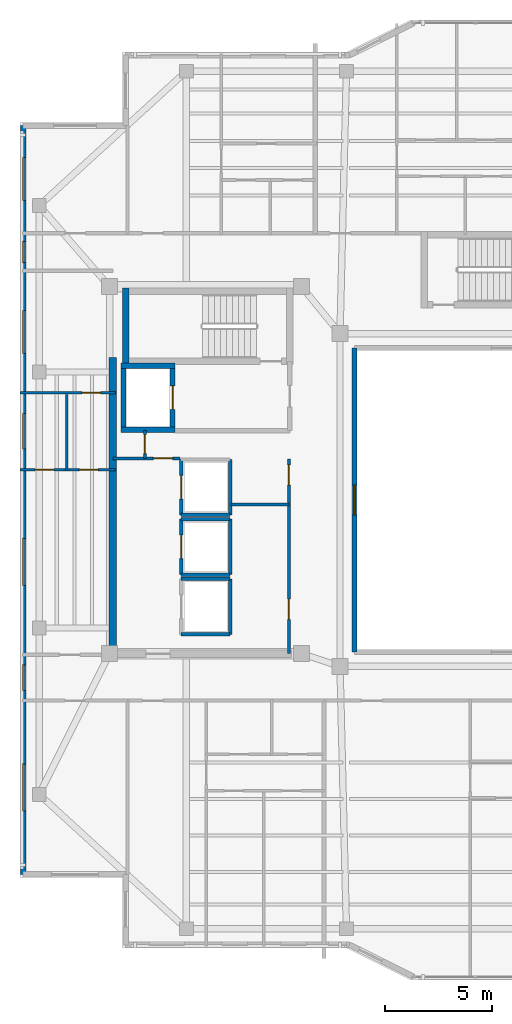
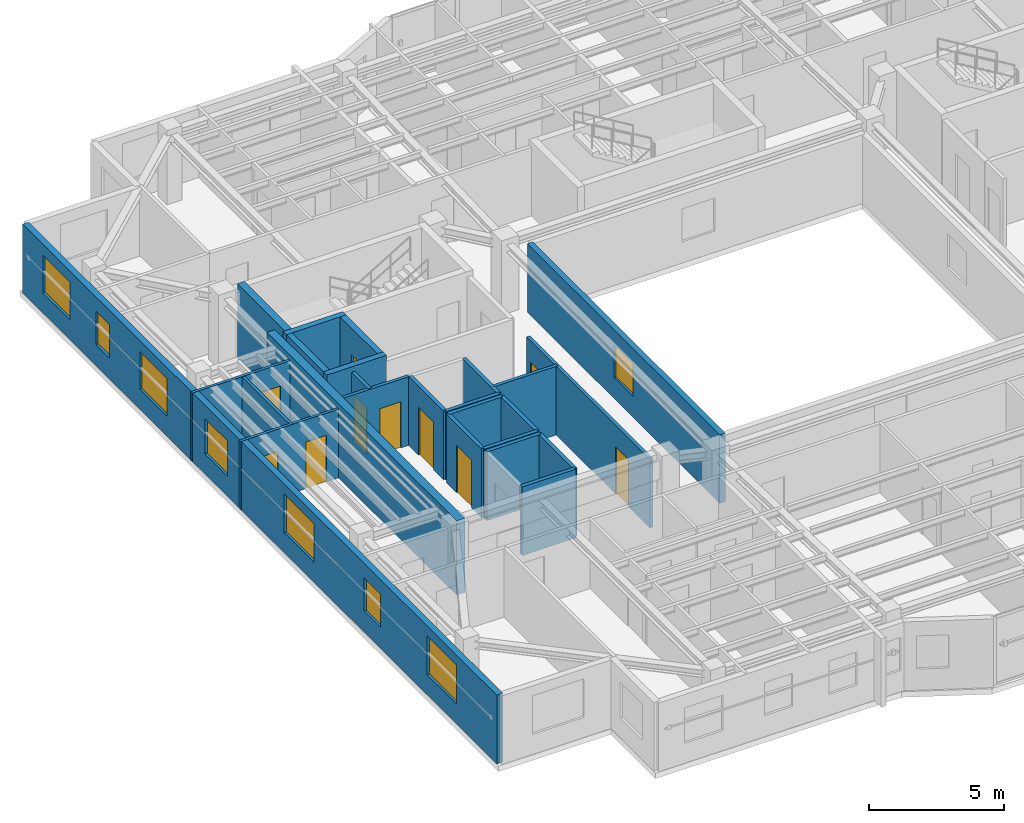
# One storey, part 7 of 15: 25 walls, 10 doors, 8 windows, 18 openings.
"""IFC4 building model written with IfcOpenShell, lengths in metres."""

from ifc_helpers import new_model, si_unit, direction, frame, frame_2d, origin, place, context, subcontext, project, spatial, rectangle, extrude, material, layer, layer_set, type_object, element, fill, save


model = new_model("IFC4")

# Units and contexts
model_context = context("Model", 3, precision=1e-05, world=origin(), true_north=direction((0.0, 1.0)))
body_context = subcontext(model_context, "Body", "Model", "MODEL_VIEW")
ifc_project = project(units=[si_unit("LENGTHUNIT", "METRE"), si_unit("AREAUNIT", "SQUARE_METRE"), si_unit("VOLUMEUNIT", "CUBIC_METRE"), si_unit("PLANEANGLEUNIT", "RADIAN"), si_unit("MASSUNIT", "GRAM", prefix="KILO")], contexts=[model_context])

# Site, building, storey
site_placement = place(None, origin())
site = spatial("IfcSite", under=ifc_project, at=site_placement, CompositionType="ELEMENT")
building_placement = place(site_placement, origin())
building = spatial("IfcBuilding", under=site, at=building_placement, Name="Tarnavaz Court Tower", CompositionType="ELEMENT")
storey_placement = place(building_placement, frame((0.0, 0.0, 244.85009765625)))
storey = spatial("IfcBuildingStorey", under=building, at=storey_placement, Name="L66", CompositionType="ELEMENT", Elevation=244.85009765625)

# Wall
ifc_material_1 = material(Name="Concrete C50/60", Category="concrete")
ifc_layer_1 = layer(ifc_material_1, 0.25)
ifc_layer_set_1 = layer_set([ifc_layer_1], Name="Concrete C50/60")
wall_type_1 = type_object("IfcWallType", Name="WL-CORE-250-C50", PredefinedType="SHEAR", material=ifc_layer_set_1)
wall_1_placement = place(storey_placement, frame((-17.949951171875, 3.175048828125, 0.0), z_axis=(0.0, 0.0, 1.0), x_axis=(0.0, 1.0, 0.0)))
element("IfcWall", 1, at=wall_1_placement, inside=storey, type_object=wall_type_1, Name="L66 Lift FL-W1 Shaft Wall 017", PredefinedType="SHEAR", context=body_context, shape_type="SweptSolid", body=[
    extrude(rectangle(XDim=3.25, YDim=0.25, at=frame_2d((1.625, 0.0))), origin(), (0.0, 0.0, 1.0), 3.349853515625),
])

# Wall, opening, door
wall_2_placement = place(storey_placement, frame((-15.64990234375, 3.175048828125, 0.0), z_axis=(0.0, 0.0, 1.0), x_axis=(0.0, 1.0, 0.0)))
wall_2 = element("IfcWall", 2, at=wall_2_placement, inside=storey, type_object=wall_type_1, Name="L66 Lift FL-W1 Shaft Wall 018", PredefinedType="SHEAR", context=body_context, shape_type="SweptSolid", body=[
    extrude(rectangle(XDim=3.25, YDim=0.25, at=frame_2d((1.625, 0.0))), origin(), (0.0, 0.0, 1.0), 3.349853515625),
])
opening_1_placement = place(wall_2_placement, frame((1.074951171875, 0.0, 0.0)))
opening_1 = element("IfcOpeningElement", 3, at=opening_1_placement, cuts=wall_2, Name="Opening LD1", PredefinedType="OPENING", context=body_context, shape_type="SweptSolid", body=[
    extrude(rectangle(XDim=1.10009765625, YDim=2.14990234375, at=frame_2d((0.550048828125, 1.074951171875))), frame((0.0, 0.135009765625, 0.0), z_axis=(0.0, -1.0, 0.0), x_axis=(1.0, 0.0, 0.0)), (0.0, 0.0, 1.0), 0.27001953125),
])
ifc_material_2 = material(Name="Stainless Steel", Category="steel")
door_type_1 = type_object("IfcDoorType", Name="DR-LD-1100", OperationType="NOTDEFINED", PredefinedType="DOOR", material=ifc_material_2)
door_1_placement = place(opening_1_placement, origin())
door_1 = element("IfcDoor", 4, at=door_1_placement, inside=storey, type_object=door_type_1, Name="L66 Lift Landing Door LD-FL-W1", OperationType="SLIDING_TO_LEFT", OverallHeight=2.14990234375, OverallWidth=1.10009765625, PredefinedType="DOOR", context=body_context, shape_type="SweptSolid", body=[
    extrude(rectangle(XDim=1.10009765625, YDim=2.14990234375, at=frame_2d((0.550048828125, 1.074951171875))), frame((0.0, 0.02490234375, 0.0), z_axis=(0.0, -1.0, 0.0), x_axis=(1.0, 0.0, 0.0)), (0.0, 0.0, 1.0), 0.050048828125),
])
fill(opening_1, door_1)

# Walls
for number, where, z_axis, x_axis, name in (
    (5, (-18.074951171875, 3.300048828125, 0.0), (0.0, 0.0, 1.0), (1.0, 0.0, 0.0), "L66 Lift FL-W1 Shaft Wall 019"),
    (6, (-18.074951171875, 6.300048828125, 0.0), (0.0, 0.0, 1.0), (1.0, 0.0, 0.0), "L66 Lift FL-W1 Shaft Wall 020"),
):
    element("IfcWall", number, at=place(storey_placement, frame(where, z_axis=z_axis, x_axis=x_axis)), inside=storey, type_object=wall_type_1, Name=name, PredefinedType="SHEAR", context=body_context, shape_type="SweptSolid", body=[
        extrude(rectangle(XDim=2.550048828125, YDim=0.25, at=frame_2d((1.27490234375, 0.0))), origin(), (0.0, 0.0, 1.0), 3.349853515625),
    ])
ifc_layer_2 = layer(ifc_material_1, 0.300048828125)
ifc_layer_set_2 = layer_set([ifc_layer_2], Name="Concrete C50/60")
wall_type_2 = type_object("IfcWallType", Name="WL-CORE-300-C50", PredefinedType="SHEAR", material=ifc_layer_set_2)
wall_3_placement = place(storey_placement, frame((-17.85009765625, 6.35009765625, 0.0), z_axis=(0.0, 0.0, 1.0), x_axis=(0.0, 1.0, 0.0)))
element("IfcWall", 7, at=wall_3_placement, inside=storey, type_object=wall_type_2, Name="L66 West Stair Core Wall 003", PredefinedType="SHEAR", context=body_context, shape_type="SweptSolid", body=[
    extrude(rectangle(XDim=3.58984375, YDim=0.300048828125, at=frame_2d((1.794921875, 0.0))), origin(), (0.0, 0.0, 1.0), 3.349853515625),
])
ifc_layer_3 = layer(ifc_material_1, 0.35009765625)
ifc_layer_set_3 = layer_set([ifc_layer_3], Name="Concrete C50/60")
wall_type_3 = type_object("IfcWallType", Name="WL-CORE-350-C50", PredefinedType="SHEAR", material=ifc_layer_set_3)
wall_4_placement = place(storey_placement, frame((-18.449951171875, -7.375, 0.0), z_axis=(0.0, 0.0, 1.0), x_axis=(0.0, 1.0, 0.0)))
element("IfcWall", 8, at=wall_4_placement, inside=storey, type_object=wall_type_3, Name="L66 West Core Shear Wall 045", PredefinedType="SHEAR", context=body_context, shape_type="SweptSolid", body=[
    extrude(rectangle(XDim=14.050048828125, YDim=0.35009765625, at=frame_2d((7.02490234375, 0.0))), origin(), (0.0, 0.0, 1.0), 3.349853515625),
])

# Wall, openings, windows
ifc_material_3 = material(Name="Precast Concrete C40/50", Category="concrete")
ifc_layer_4 = layer(ifc_material_3, 0.260009765625)
ifc_layer_set_4 = layer_set([ifc_layer_4], Name="Precast Concrete C40/50")
wall_type_4 = type_object("IfcWallType", Name="WL-EXT-260", PredefinedType="SOLIDWALL", material=ifc_layer_set_4)
wall_5_placement = place(storey_placement, frame((-22.64990234375, -17.550048828125, 0.0), z_axis=(0.0, 0.0, 1.0), x_axis=(0.0, 1.0, 0.0)))
wall_5 = element("IfcWall", 9, at=wall_5_placement, inside=storey, type_object=wall_type_4, Name="L66 Exterior Terracotta Facade Wall 02", PredefinedType="SOLIDWALL", context=body_context, shape_type="SweptSolid", body=[
    extrude(rectangle(XDim=35.10009765625, YDim=0.260009765625, at=frame_2d((17.550048828125, 0.0))), origin(), (0.0, 0.0, 1.0), 3.099853515625),
])
opening_2_placement = place(wall_5_placement, frame((2.97509765625, 0.0, 0.89990234375)))
opening_2 = element("IfcOpeningElement", 10, at=opening_2_placement, cuts=wall_5, Name="Opening W07", PredefinedType="OPENING", context=body_context, shape_type="SweptSolid", body=[
    extrude(rectangle(XDim=2.199951171875, YDim=1.75, at=frame_2d((1.10009765625, 0.875))), frame((0.0, 0.139892578125, 0.0), z_axis=(0.0, -1.0, 0.0), x_axis=(1.0, 0.0, 0.0)), (0.0, 0.0, 1.0), 0.280029296875),
])
opening_3_placement = place(wall_5_placement, frame((8.625, 0.0, 0.949951171875)))
opening_3 = element("IfcOpeningElement", 11, at=opening_3_placement, cuts=wall_5, Name="Opening W05", PredefinedType="OPENING", context=body_context, shape_type="SweptSolid", body=[
    extrude(rectangle(XDim=1.199951171875, YDim=1.5, at=frame_2d((0.60009765625, 0.75))), frame((0.0, 0.139892578125, 0.0), z_axis=(0.0, -1.0, 0.0), x_axis=(1.0, 0.0, 0.0)), (0.0, 0.0, 1.0), 0.280029296875),
])
opening_4_placement = place(wall_5_placement, frame((13.550048828125, 0.0, 0.89990234375)))
opening_4 = element("IfcOpeningElement", 12, at=opening_4_placement, cuts=wall_5, Name="Opening W07", PredefinedType="OPENING", context=body_context, shape_type="SweptSolid", body=[
    extrude(rectangle(XDim=2.199951171875, YDim=1.75, at=frame_2d((1.10009765625, 0.875))), frame((0.0, 0.139892578125, 0.0), z_axis=(0.0, -1.0, 0.0), x_axis=(1.0, 0.0, 0.0)), (0.0, 0.0, 1.0), 0.280029296875),
])
opening_5_placement = place(wall_5_placement, frame((19.949951171875, 0.0, 0.89990234375)))
opening_5 = element("IfcOpeningElement", 13, at=opening_5_placement, cuts=wall_5, Name="Opening W02", PredefinedType="OPENING", context=body_context, shape_type="SweptSolid", body=[
    extrude(rectangle(XDim=1.64990234375, YDim=1.60009765625, at=frame_2d((0.824951171875, 0.800048828125))), frame((0.0, 0.139892578125, 0.0), z_axis=(0.0, -1.0, 0.0), x_axis=(1.0, 0.0, 0.0)), (0.0, 0.0, 1.0), 0.280029296875),
])
opening_6_placement = place(wall_5_placement, frame((24.425048828125, 0.0, 0.89990234375)))
opening_6 = element("IfcOpeningElement", 14, at=opening_6_placement, cuts=wall_5, Name="Opening W08", PredefinedType="OPENING", context=body_context, shape_type="SweptSolid", body=[
    extrude(rectangle(XDim=2.0, YDim=1.699951171875, at=frame_2d((1.0, 0.85009765625))), frame((0.0, 0.139892578125, 0.0), z_axis=(0.0, -1.0, 0.0), x_axis=(1.0, 0.0, 0.0)), (0.0, 0.0, 1.0), 0.280029296875),
])
opening_7_placement = place(wall_5_placement, frame((28.675048828125, 0.0, 0.949951171875)))
opening_7 = element("IfcOpeningElement", 15, at=opening_7_placement, cuts=wall_5, Name="Opening W14", PredefinedType="OPENING", context=body_context, shape_type="SweptSolid", body=[
    extrude(rectangle(XDim=1.0, YDim=1.5, at=frame_2d((0.5, 0.75))), frame((0.0, 0.139892578125, 0.0), z_axis=(0.0, -1.0, 0.0), x_axis=(1.0, 0.0, 0.0)), (0.0, 0.0, 1.0), 0.280029296875),
])
opening_8_placement = place(wall_5_placement, frame((31.60009765625, 0.0, 0.89990234375)))
opening_8 = element("IfcOpeningElement", 16, at=opening_8_placement, cuts=wall_5, Name="Opening W08", PredefinedType="OPENING", context=body_context, shape_type="SweptSolid", body=[
    extrude(rectangle(XDim=2.0, YDim=1.699951171875, at=frame_2d((1.0, 0.85009765625))), frame((0.0, 0.139892578125, 0.0), z_axis=(0.0, -1.0, 0.0), x_axis=(1.0, 0.0, 0.0)), (0.0, 0.0, 1.0), 0.280029296875),
])
ifc_material_4 = material(Name="Double-Glazed Solar Low-E Glass", Category="glass")
window_type_1 = type_object("IfcWindowType", Name="WN-APT-1000", PartitioningType="SINGLE_PANEL", PredefinedType="WINDOW", material=ifc_material_4)
window_1_placement = place(opening_7_placement, origin())
window_1 = element("IfcWindow", 17, at=window_1_placement, inside=storey, type_object=window_type_1, Name="L66 North-West Corner Corridor Window", OverallHeight=1.5, OverallWidth=1.0, PartitioningType="SINGLE_PANEL", PredefinedType="WINDOW", context=body_context, shape_type="SweptSolid", body=[
    extrude(rectangle(XDim=1.0, YDim=1.5, at=frame_2d((0.5, 0.75))), frame((0.0, 0.030029296875, 0.0), z_axis=(0.0, -1.0, 0.0), x_axis=(1.0, 0.0, 0.0)), (0.0, 0.0, 1.0), 0.06005859375),
])
fill(opening_7, window_1)
window_type_2 = type_object("IfcWindowType", Name="WN-APT-1200", PartitioningType="SINGLE_PANEL", PredefinedType="WINDOW", material=ifc_material_4)
window_2_placement = place(opening_3_placement, origin())
window_2 = element("IfcWindow", 18, at=window_2_placement, inside=storey, type_object=window_type_2, Name="L66 South-West Corner Corridor Window", OverallHeight=1.5, OverallWidth=1.199951171875, PartitioningType="SINGLE_PANEL", PredefinedType="WINDOW", context=body_context, shape_type="SweptSolid", body=[
    extrude(rectangle(XDim=1.199951171875, YDim=1.5, at=frame_2d((0.60009765625, 0.75))), frame((0.0, 0.030029296875, 0.0), z_axis=(0.0, -1.0, 0.0), x_axis=(1.0, 0.0, 0.0)), (0.0, 0.0, 1.0), 0.06005859375),
])
fill(opening_3, window_2)
window_type_3 = type_object("IfcWindowType", Name="WN-APT-1650", PartitioningType="DOUBLE_PANEL_VERTICAL", PredefinedType="WINDOW", material=ifc_material_4)
window_3_placement = place(opening_5_placement, origin())
window_3 = element("IfcWindow", 19, at=window_3_placement, inside=storey, type_object=window_type_3, Name="L66 Flat 08 Kitchen Window", OverallHeight=1.60009765625, OverallWidth=1.64990234375, PartitioningType="SINGLE_PANEL", PredefinedType="WINDOW", context=body_context, shape_type="SweptSolid", body=[
    extrude(rectangle(XDim=1.64990234375, YDim=1.60009765625, at=frame_2d((0.824951171875, 0.800048828125))), frame((0.0, 0.030029296875, 0.0), z_axis=(0.0, -1.0, 0.0), x_axis=(1.0, 0.0, 0.0)), (0.0, 0.0, 1.0), 0.06005859375),
])
fill(opening_5, window_3)
window_type_4 = type_object("IfcWindowType", Name="WN-APT-2000", PartitioningType="DOUBLE_PANEL_VERTICAL", PredefinedType="WINDOW", material=ifc_material_4)
window_4_placement = place(opening_6_placement, origin())
window_4 = element("IfcWindow", 20, at=window_4_placement, inside=storey, type_object=window_type_4, Name="L66 Flat 08 Study Room Window", OverallHeight=1.699951171875, OverallWidth=2.0, PartitioningType="SINGLE_PANEL", PredefinedType="WINDOW", context=body_context, shape_type="SweptSolid", body=[
    extrude(rectangle(XDim=2.0, YDim=1.699951171875, at=frame_2d((1.0, 0.85009765625))), frame((0.0, 0.030029296875, 0.0), z_axis=(0.0, -1.0, 0.0), x_axis=(1.0, 0.0, 0.0)), (0.0, 0.0, 1.0), 0.06005859375),
])
fill(opening_6, window_4)
window_5_placement = place(opening_8_placement, origin())
window_5 = element("IfcWindow", 21, at=window_5_placement, inside=storey, type_object=window_type_4, Name="L66 North-West Corner Sunroom Study Window", OverallHeight=1.699951171875, OverallWidth=2.0, PartitioningType="SINGLE_PANEL", PredefinedType="WINDOW", context=body_context, shape_type="SweptSolid", body=[
    extrude(rectangle(XDim=2.0, YDim=1.699951171875, at=frame_2d((1.0, 0.85009765625))), frame((0.0, 0.030029296875, 0.0), z_axis=(0.0, -1.0, 0.0), x_axis=(1.0, 0.0, 0.0)), (0.0, 0.0, 1.0), 0.06005859375),
])
fill(opening_8, window_5)
window_type_5 = type_object("IfcWindowType", Name="WN-APT-2200", PartitioningType="TRIPLE_PANEL_VERTICAL", PredefinedType="WINDOW", material=ifc_material_4)
window_6_placement = place(opening_2_placement, origin())
window_6 = element("IfcWindow", 22, at=window_6_placement, inside=storey, type_object=window_type_5, Name="L66 South-West Corner Reading Room Window", OverallHeight=1.75, OverallWidth=2.199951171875, PartitioningType="SINGLE_PANEL", PredefinedType="WINDOW", context=body_context, shape_type="SweptSolid", body=[
    extrude(rectangle(XDim=2.199951171875, YDim=1.75, at=frame_2d((1.10009765625, 0.875))), frame((0.0, 0.030029296875, 0.0), z_axis=(0.0, -1.0, 0.0), x_axis=(1.0, 0.0, 0.0)), (0.0, 0.0, 1.0), 0.06005859375),
])
fill(opening_2, window_6)
window_7_placement = place(opening_4_placement, origin())
window_7 = element("IfcWindow", 23, at=window_7_placement, inside=storey, type_object=window_type_5, Name="L66 Flat 08 Studio Living and Sleeping Room Window", OverallHeight=1.75, OverallWidth=2.199951171875, PartitioningType="SINGLE_PANEL", PredefinedType="WINDOW", context=body_context, shape_type="SweptSolid", body=[
    extrude(rectangle(XDim=2.199951171875, YDim=1.75, at=frame_2d((1.10009765625, 0.875))), frame((0.0, 0.030029296875, 0.0), z_axis=(0.0, -1.0, 0.0), x_axis=(1.0, 0.0, 0.0)), (0.0, 0.0, 1.0), 0.06005859375),
])
fill(opening_4, window_7)

# Wall, openings, doors
ifc_material_5 = material(Name="Moisture-Resistant Gypsum Board Partition", Category="masonry")
ifc_layer_5 = layer(ifc_material_5, 0.1201171875)
ifc_layer_set_5 = layer_set([ifc_layer_5], Name="Moisture-Resistant Gypsum Board Partition")
wall_type_5 = type_object("IfcWallType", Name="WL-PART-120", PredefinedType="PARTITIONING", material=ifc_layer_set_5)
wall_6_placement = place(storey_placement, frame((-22.800048828125, 1.419921875, 0.0), z_axis=(0.0, 0.0, 1.0), x_axis=(1.0, 0.0, 0.0)))
wall_6 = element("IfcWall", 24, at=wall_6_placement, inside=storey, type_object=wall_type_5, Name="L66 Interior Partition 120", PredefinedType="PARTITIONING", context=body_context, shape_type="SweptSolid", body=[
    extrude(rectangle(XDim=4.469970703125, YDim=0.1201171875, at=frame_2d((2.23486328125, 0.0))), origin(), (0.0, 0.0, 1.0), 3.099853515625),
])
opening_9_placement = place(wall_6_placement, frame((0.712890625, 0.0, 0.0)))
opening_9 = element("IfcOpeningElement", 25, at=opening_9_placement, cuts=wall_6, Name="Opening D14", PredefinedType="OPENING", context=body_context, shape_type="SweptSolid", body=[
    extrude(rectangle(XDim=0.8798828125, YDim=2.10009765625, at=frame_2d((0.43994140625, 1.050048828125))), frame((0.0, 0.070068359375, 0.0), z_axis=(0.0, -1.0, 0.0), x_axis=(1.0, 0.0, 0.0)), (0.0, 0.0, 1.0), 0.14013671875),
])
opening_10_placement = place(wall_6_placement, frame((2.778076171875, 0.0, 0.0)))
opening_10 = element("IfcOpeningElement", 26, at=opening_10_placement, cuts=wall_6, Name="Opening D14", PredefinedType="OPENING", context=body_context, shape_type="SweptSolid", body=[
    extrude(rectangle(XDim=0.8798828125, YDim=2.10009765625, at=frame_2d((0.43994140625, 1.050048828125))), frame((0.0, 0.070068359375, 0.0), z_axis=(0.0, -1.0, 0.0), x_axis=(1.0, 0.0, 0.0)), (0.0, 0.0, 1.0), 0.14013671875),
])
ifc_material_6 = material(Name="Engineered Oak Timber", Category="wood")
door_type_2 = type_object("IfcDoorType", Name="DR-INT-900", OperationType="NOTDEFINED", PredefinedType="DOOR", material=ifc_material_6)
door_2_placement = place(opening_9_placement, origin())
door_2 = element("IfcDoor", 27, at=door_2_placement, inside=storey, type_object=door_type_2, Name="L66 Flat 08 Kitchen Door", OperationType="SINGLE_SWING_LEFT", OverallHeight=2.10009765625, OverallWidth=0.8798828125, PredefinedType="DOOR", context=body_context, shape_type="SweptSolid", body=[
    extrude(rectangle(XDim=0.8798828125, YDim=2.10009765625, at=frame_2d((0.43994140625, 1.050048828125))), frame((0.0, 0.02490234375, 0.0), z_axis=(0.0, -1.0, 0.0), x_axis=(1.0, 0.0, 0.0)), (0.0, 0.0, 1.0), 0.050048828125),
])
fill(opening_9, door_2)
door_3_placement = place(opening_10_placement, origin())
door_3 = element("IfcDoor", 28, at=door_3_placement, inside=storey, type_object=door_type_2, Name="L66 Flat 08 Bathroom Door", OperationType="SINGLE_SWING_RIGHT", OverallHeight=2.10009765625, OverallWidth=0.8798828125, PredefinedType="DOOR", context=body_context, shape_type="SweptSolid", body=[
    extrude(rectangle(XDim=0.8798828125, YDim=2.10009765625, at=frame_2d((0.43994140625, 1.050048828125))), frame((0.0, 0.02490234375, 0.0), z_axis=(0.0, -1.0, 0.0), x_axis=(1.0, 0.0, 0.0)), (0.0, 0.0, 1.0), 0.050048828125),
])
fill(opening_10, door_3)

# Wall, opening, door
wall_7_placement = place(storey_placement, frame((-22.800048828125, 5.02001953125, 0.0), z_axis=(0.0, 0.0, 1.0), x_axis=(1.0, 0.0, 0.0)))
wall_7 = element("IfcWall", 29, at=wall_7_placement, inside=storey, type_object=wall_type_5, Name="L66 Interior Partition 121", PredefinedType="PARTITIONING", context=body_context, shape_type="SweptSolid", body=[
    extrude(rectangle(XDim=4.469970703125, YDim=0.1201171875, at=frame_2d((2.23486328125, 0.0))), origin(), (0.0, 0.0, 1.0), 3.099853515625),
])
opening_11_placement = place(wall_7_placement, frame((2.89990234375, 0.0, 0.0)))
opening_11 = element("IfcOpeningElement", 30, at=opening_11_placement, cuts=wall_7, Name="Opening D14", PredefinedType="OPENING", context=body_context, shape_type="SweptSolid", body=[
    extrude(rectangle(XDim=0.8798828125, YDim=2.10009765625, at=frame_2d((0.43994140625, 1.050048828125))), frame((0.0, 0.070068359375, 0.0), z_axis=(0.0, -1.0, 0.0), x_axis=(1.0, 0.0, 0.0)), (0.0, 0.0, 1.0), 0.14013671875),
])
door_4_placement = place(opening_11_placement, origin())
door_4 = element("IfcDoor", 31, at=door_4_placement, inside=storey, type_object=door_type_2, Name="L66 Flat 08 Study Door", OperationType="SINGLE_SWING_LEFT", OverallHeight=2.10009765625, OverallWidth=0.8798828125, PredefinedType="DOOR", context=body_context, shape_type="SweptSolid", body=[
    extrude(rectangle(XDim=0.8798828125, YDim=2.10009765625, at=frame_2d((0.43994140625, 1.050048828125))), frame((0.0, 0.02490234375, 0.0), z_axis=(0.0, -1.0, 0.0), x_axis=(1.0, 0.0, 0.0)), (0.0, 0.0, 1.0), 0.050048828125),
])
fill(opening_11, door_4)

# Wall
wall_8_placement = place(storey_placement, frame((-20.614990234375, 1.360107421875, 0.0), z_axis=(0.0, 0.0, 1.0), x_axis=(0.0, 1.0, 0.0)))
element("IfcWall", 32, at=wall_8_placement, inside=storey, type_object=wall_type_5, Name="L66 Interior Partition 122", PredefinedType="PARTITIONING", context=body_context, shape_type="SweptSolid", body=[
    extrude(rectangle(XDim=3.579833984375, YDim=0.1201171875, at=frame_2d((1.7900390625, 0.0))), origin(), (0.0, 0.0, 1.0), 3.099853515625),
])

# Wall, opening, door
ifc_material_7 = material(Name="Gypsum Plasterboard Acoustic Partition", Category="masonry")
ifc_layer_6 = layer(ifc_material_7, 0.139892578125)
ifc_layer_set_6 = layer_set([ifc_layer_6], Name="Gypsum Plasterboard Acoustic Partition")
wall_type_6 = type_object("IfcWallType", Name="WL-PART-150", PredefinedType="PARTITIONING", material=ifc_layer_set_6)
wall_9_placement = place(storey_placement, frame((-18.449951171875, 1.949951171875, 0.0), z_axis=(0.0, 0.0, 1.0), x_axis=(1.0, 0.0, 0.0)))
wall_9 = element("IfcWall", 33, at=wall_9_placement, inside=storey, type_object=wall_type_6, Name="L66 Interior Partition 049", PredefinedType="PARTITIONING", context=body_context, shape_type="SweptSolid", body=[
    extrude(rectangle(XDim=3.14990234375, YDim=0.139892578125, at=frame_2d((1.574951171875, 0.0))), origin(), (0.0, 0.0, 1.0), 3.099853515625),
])
opening_12_placement = place(wall_9_placement, frame((1.89990234375, 0.0, 0.0)))
opening_12 = element("IfcOpeningElement", 34, at=opening_12_placement, cuts=wall_9, Name="Opening D09", PredefinedType="OPENING", context=body_context, shape_type="SweptSolid", body=[
    extrude(rectangle(XDim=0.89990234375, YDim=2.080078125, at=frame_2d((0.449951171875, 1.0400390625))), frame((0.0, 0.079833984375, 0.0), z_axis=(0.0, -1.0, 0.0), x_axis=(1.0, 0.0, 0.0)), (0.0, 0.0, 1.0), 0.159912109375),
])
ifc_material_8 = material(Name="Fire-Rated Hardwood Timber Core", Category="wood")
door_type_3 = type_object("IfcDoorType", Name="DR-FD30-900", OperationType="NOTDEFINED", PredefinedType="DOOR", material=ifc_material_8)
door_5_placement = place(opening_12_placement, origin())
door_5 = element("IfcDoor", 35, at=door_5_placement, inside=storey, type_object=door_type_3, Name="L66 West Sky Store Door", OperationType="SINGLE_SWING_RIGHT", OverallHeight=2.080078125, OverallWidth=0.89990234375, PredefinedType="DOOR", context=body_context, shape_type="SweptSolid", body=[
    extrude(rectangle(XDim=0.89990234375, YDim=2.080078125, at=frame_2d((0.449951171875, 1.0400390625))), frame((0.0, 0.02490234375, 0.0), z_axis=(0.0, -1.0, 0.0), x_axis=(1.0, 0.0, 0.0)), (0.0, 0.0, 1.0), 0.050048828125),
])
fill(opening_12, door_5)

wall_10_placement = place(storey_placement, frame((-16.949951171875, 1.949951171875, 0.0), z_axis=(0.0, 0.0, 1.0), x_axis=(0.0, 1.0, 0.0)))
wall_10 = element("IfcWall", 36, at=wall_10_placement, inside=storey, type_object=wall_type_6, Name="L66 Interior Partition 050", PredefinedType="PARTITIONING", context=body_context, shape_type="SweptSolid", body=[
    extrude(rectangle(XDim=1.300048828125, YDim=0.139892578125, at=frame_2d((0.64990234375, 0.0))), origin(), (0.0, 0.0, 1.0), 3.099853515625),
])
opening_13_placement = place(wall_10_placement, frame((0.219970703125, 0.0, 0.0)))
opening_13 = element("IfcOpeningElement", 37, at=opening_13_placement, cuts=wall_10, Name="Opening D09", PredefinedType="OPENING", context=body_context, shape_type="SweptSolid", body=[
    extrude(rectangle(XDim=0.89990234375, YDim=2.080078125, at=frame_2d((0.449951171875, 1.0400390625))), frame((0.0, 0.079833984375, 0.0), z_axis=(0.0, -1.0, 0.0), x_axis=(1.0, 0.0, 0.0)), (0.0, 0.0, 1.0), 0.159912109375),
])
door_6_placement = place(opening_13_placement, origin())
door_6 = element("IfcDoor", 38, at=door_6_placement, inside=storey, type_object=door_type_3, Name="L66 West Sky BMS Room Door", OperationType="SINGLE_SWING_LEFT", OverallHeight=2.080078125, OverallWidth=0.89990234375, PredefinedType="DOOR", context=body_context, shape_type="SweptSolid", body=[
    extrude(rectangle(XDim=0.89990234375, YDim=2.080078125, at=frame_2d((0.449951171875, 1.0400390625))), frame((0.0, 0.02490234375, 0.0), z_axis=(0.0, -1.0, 0.0), x_axis=(1.0, 0.0, 0.0)), (0.0, 0.0, 1.0), 0.050048828125),
])
fill(opening_13, door_6)

# Wall, openings, doors
wall_11_placement = place(storey_placement, frame((-10.199951171875, -7.199951171875, 0.0), z_axis=(0.0, 0.0, 1.0), x_axis=(0.0, 1.0, 0.0)))
wall_11 = element("IfcWall", 39, at=wall_11_placement, inside=storey, type_object=wall_type_6, Name="L66 West Reclaimed Core Wall 051", PredefinedType="PARTITIONING", context=body_context, shape_type="SweptSolid", body=[
    extrude(rectangle(XDim=9.119873046875, YDim=0.139892578125, at=frame_2d((4.56005859375, 0.0))), origin(), (0.0, 0.0, 1.0), 3.099853515625),
])
opening_14_placement = place(wall_11_placement, frame((1.60009765625, 0.0, 0.0)))
opening_14 = element("IfcOpeningElement", 40, at=opening_14_placement, cuts=wall_11, Name="Opening D08", PredefinedType="OPENING", context=body_context, shape_type="SweptSolid", body=[
    extrude(rectangle(XDim=0.949951171875, YDim=2.1201171875, at=frame_2d((0.47509765625, 1.06005859375))), frame((0.0, 0.079833984375, 0.0), z_axis=(0.0, -1.0, 0.0), x_axis=(1.0, 0.0, 0.0)), (0.0, 0.0, 1.0), 0.159912109375),
])
opening_15_placement = place(wall_11_placement, frame((7.89990234375, 0.0, 0.0)))
opening_15 = element("IfcOpeningElement", 41, at=opening_15_placement, cuts=wall_11, Name="Opening D08", PredefinedType="OPENING", context=body_context, shape_type="SweptSolid", body=[
    extrude(rectangle(XDim=0.949951171875, YDim=2.1201171875, at=frame_2d((0.47509765625, 1.06005859375))), frame((0.0, 0.079833984375, 0.0), z_axis=(0.0, -1.0, 0.0), x_axis=(1.0, 0.0, 0.0)), (0.0, 0.0, 1.0), 0.159912109375),
])
door_type_4 = type_object("IfcDoorType", Name="DR-FD30-950", OperationType="NOTDEFINED", PredefinedType="DOOR", material=ifc_material_8)
door_7_placement = place(opening_14_placement, origin())
door_7 = element("IfcDoor", 42, at=door_7_placement, inside=storey, type_object=door_type_4, Name="L66 West Study Room Door", OperationType="SINGLE_SWING_RIGHT", OverallHeight=2.1201171875, OverallWidth=0.949951171875, PredefinedType="DOOR", context=body_context, shape_type="SweptSolid", body=[
    extrude(rectangle(XDim=0.949951171875, YDim=2.1201171875, at=frame_2d((0.47509765625, 1.06005859375))), frame((0.0, 0.02490234375, 0.0), z_axis=(0.0, -1.0, 0.0), x_axis=(1.0, 0.0, 0.0)), (0.0, 0.0, 1.0), 0.050048828125),
])
fill(opening_14, door_7)
door_8_placement = place(opening_15_placement, origin())
door_8 = element("IfcDoor", 43, at=door_8_placement, inside=storey, type_object=door_type_4, Name="L66 West Laundry Room Door", OperationType="SINGLE_SWING_LEFT", OverallHeight=2.1201171875, OverallWidth=0.949951171875, PredefinedType="DOOR", context=body_context, shape_type="SweptSolid", body=[
    extrude(rectangle(XDim=0.949951171875, YDim=2.1201171875, at=frame_2d((0.47509765625, 1.06005859375))), frame((0.0, 0.02490234375, 0.0), z_axis=(0.0, -1.0, 0.0), x_axis=(1.0, 0.0, 0.0)), (0.0, 0.0, 1.0), 0.050048828125),
])
fill(opening_15, door_8)

# Walls
wall_12_placement = place(storey_placement, frame((-12.89990234375, -0.199951171875, 0.0), z_axis=(0.0, 0.0, 1.0), x_axis=(1.0, 0.0, 0.0)))
element("IfcWall", 44, at=wall_12_placement, inside=storey, type_object=wall_type_6, Name="L66 Interior Partition 052", PredefinedType="PARTITIONING", context=body_context, shape_type="SweptSolid", body=[
    extrude(rectangle(XDim=2.699951171875, YDim=0.139892578125, at=frame_2d((1.35009765625, 0.0))), origin(), (0.0, 0.0, 1.0), 3.099853515625),
])
ifc_material_9 = material(Name="Autoclaved Aerated Concrete Blockwork", Category="masonry")
ifc_layer_7 = layer(ifc_material_9, 0.159912109375)
ifc_layer_set_7 = layer_set([ifc_layer_7], Name="Autoclaved Aerated Concrete Blockwork")
wall_type_7 = type_object("IfcWallType", Name="WL-SHAFT-150", PredefinedType="SOLIDWALL", material=ifc_layer_set_7)
wall_13_placement = place(storey_placement, frame((-12.949951171875, -6.300048828125, 0.0), z_axis=(0.0, 0.0, 1.0), x_axis=(0.0, 1.0, 0.0)))
element("IfcWall", 45, at=wall_13_placement, inside=storey, type_object=wall_type_7, Name="L66 Lift PL-H1 Shaft Wall 022", PredefinedType="SOLIDWALL", context=body_context, shape_type="SweptSolid", body=[
    extrude(rectangle(XDim=2.60009765625, YDim=0.159912109375, at=frame_2d((1.300048828125, 0.0))), origin(), (0.0, 0.0, 1.0), 3.099853515625),
])
for number, where, z_axis, x_axis, name in (
    (46, (-15.25, -6.300048828125, 0.0), (0.0, 0.0, 1.0), (1.0, 0.0, 0.0), "L66 Lift PL-H1 Shaft Wall 023"),
    (47, (-15.25, -3.699951171875, 0.0), (0.0, 0.0, 1.0), (1.0, 0.0, 0.0), "L66 Lift PL-H1 Shaft Wall 024"),
):
    element("IfcWall", number, at=place(storey_placement, frame(where, z_axis=z_axis, x_axis=x_axis)), inside=storey, type_object=wall_type_7, Name=name, PredefinedType="SOLIDWALL", context=body_context, shape_type="SweptSolid", body=[
        extrude(rectangle(XDim=2.300048828125, YDim=0.159912109375, at=frame_2d((1.14990234375, 0.0))), origin(), (0.0, 0.0, 1.0), 3.099853515625),
    ])

# Wall, opening, door
wall_14_placement = place(storey_placement, frame((-15.25, -3.5, 0.0), z_axis=(0.0, 0.0, 1.0), x_axis=(0.0, 1.0, 0.0)))
wall_14 = element("IfcWall", 48, at=wall_14_placement, inside=storey, type_object=wall_type_7, Name="L66 Lift PL-H2 Shaft Wall 025", PredefinedType="SOLIDWALL", context=body_context, shape_type="SweptSolid", body=[
    extrude(rectangle(XDim=2.60009765625, YDim=0.159912109375, at=frame_2d((1.300048828125, 0.0))), origin(), (0.0, 0.0, 1.0), 3.099853515625),
])
opening_16_placement = place(wall_14_placement, frame((0.75, 0.0, 0.0)))
opening_16 = element("IfcOpeningElement", 49, at=opening_16_placement, cuts=wall_14, Name="Opening LD1", PredefinedType="OPENING", context=body_context, shape_type="SweptSolid", body=[
    extrude(rectangle(XDim=1.10009765625, YDim=2.14990234375, at=frame_2d((0.550048828125, 1.074951171875))), frame((0.0, 0.08984375, 0.0), z_axis=(0.0, -1.0, 0.0), x_axis=(1.0, 0.0, 0.0)), (0.0, 0.0, 1.0), 0.179931640625),
])
door_9_placement = place(opening_16_placement, origin())
door_9 = element("IfcDoor", 50, at=door_9_placement, inside=storey, type_object=door_type_1, Name="L66 Lift Landing Door LD-PL-H2", OperationType="SLIDING_TO_LEFT", OverallHeight=2.14990234375, OverallWidth=1.10009765625, PredefinedType="DOOR", context=body_context, shape_type="SweptSolid", body=[
    extrude(rectangle(XDim=1.10009765625, YDim=2.14990234375, at=frame_2d((0.550048828125, 1.074951171875))), frame((0.0, 0.02490234375, 0.0), z_axis=(0.0, -1.0, 0.0), x_axis=(1.0, 0.0, 0.0)), (0.0, 0.0, 1.0), 0.050048828125),
])
fill(opening_16, door_9)

# Walls
wall_15_placement = place(storey_placement, frame((-12.949951171875, -3.5, 0.0), z_axis=(0.0, 0.0, 1.0), x_axis=(0.0, 1.0, 0.0)))
element("IfcWall", 51, at=wall_15_placement, inside=storey, type_object=wall_type_7, Name="L66 Lift PL-H2 Shaft Wall 026", PredefinedType="SOLIDWALL", context=body_context, shape_type="SweptSolid", body=[
    extrude(rectangle(XDim=2.60009765625, YDim=0.159912109375, at=frame_2d((1.300048828125, 0.0))), origin(), (0.0, 0.0, 1.0), 3.099853515625),
])
for number, where, z_axis, x_axis, name in (
    (52, (-15.25, -3.5, 0.0), (0.0, 0.0, 1.0), (1.0, 0.0, 0.0), "L66 Lift PL-H2 Shaft Wall 027"),
    (53, (-15.25, -0.89990234375, 0.0), (0.0, 0.0, 1.0), (1.0, 0.0, 0.0), "L66 Lift PL-H2 Shaft Wall 028"),
):
    element("IfcWall", number, at=place(storey_placement, frame(where, z_axis=z_axis, x_axis=x_axis)), inside=storey, type_object=wall_type_7, Name=name, PredefinedType="SOLIDWALL", context=body_context, shape_type="SweptSolid", body=[
        extrude(rectangle(XDim=2.300048828125, YDim=0.159912109375, at=frame_2d((1.14990234375, 0.0))), origin(), (0.0, 0.0, 1.0), 3.099853515625),
    ])

# Wall, opening, door
wall_16_placement = place(storey_placement, frame((-15.25, -0.699951171875, 0.0), z_axis=(0.0, 0.0, 1.0), x_axis=(0.0, 1.0, 0.0)))
wall_16 = element("IfcWall", 54, at=wall_16_placement, inside=storey, type_object=wall_type_7, Name="L66 Lift PL-H3 Shaft Wall 029", PredefinedType="SOLIDWALL", context=body_context, shape_type="SweptSolid", body=[
    extrude(rectangle(XDim=2.599853515625, YDim=0.159912109375, at=frame_2d((1.2998046875, 0.0))), origin(), (0.0, 0.0, 1.0), 3.099853515625),
])
opening_17_placement = place(wall_16_placement, frame((0.75, 0.0, 0.0)))
opening_17 = element("IfcOpeningElement", 55, at=opening_17_placement, cuts=wall_16, Name="Opening LD1", PredefinedType="OPENING", context=body_context, shape_type="SweptSolid", body=[
    extrude(rectangle(XDim=1.10009765625, YDim=2.14990234375, at=frame_2d((0.550048828125, 1.074951171875))), frame((0.0, 0.08984375, 0.0), z_axis=(0.0, -1.0, 0.0), x_axis=(1.0, 0.0, 0.0)), (0.0, 0.0, 1.0), 0.179931640625),
])
door_10_placement = place(opening_17_placement, origin())
door_10 = element("IfcDoor", 56, at=door_10_placement, inside=storey, type_object=door_type_1, Name="L66 Lift Landing Door LD-PL-H3", OperationType="SLIDING_TO_LEFT", OverallHeight=2.14990234375, OverallWidth=1.10009765625, PredefinedType="DOOR", context=body_context, shape_type="SweptSolid", body=[
    extrude(rectangle(XDim=1.10009765625, YDim=2.14990234375, at=frame_2d((0.550048828125, 1.074951171875))), frame((0.0, 0.02490234375, 0.0), z_axis=(0.0, -1.0, 0.0), x_axis=(1.0, 0.0, 0.0)), (0.0, 0.0, 1.0), 0.050048828125),
])
fill(opening_17, door_10)

# Walls
wall_17_placement = place(storey_placement, frame((-12.949951171875, -0.699951171875, 0.0), z_axis=(0.0, 0.0, 1.0), x_axis=(0.0, 1.0, 0.0)))
element("IfcWall", 57, at=wall_17_placement, inside=storey, type_object=wall_type_7, Name="L66 Lift PL-H3 Shaft Wall 030", PredefinedType="SOLIDWALL", context=body_context, shape_type="SweptSolid", body=[
    extrude(rectangle(XDim=2.599853515625, YDim=0.159912109375, at=frame_2d((1.2998046875, 0.0))), origin(), (0.0, 0.0, 1.0), 3.099853515625),
])
wall_18_placement = place(storey_placement, frame((-15.25, -0.699951171875, 0.0), z_axis=(0.0, 0.0, 1.0), x_axis=(1.0, 0.0, 0.0)))
element("IfcWall", 58, at=wall_18_placement, inside=storey, type_object=wall_type_7, Name="L66 Lift PL-H3 Shaft Wall 031", PredefinedType="SOLIDWALL", context=body_context, shape_type="SweptSolid", body=[
    extrude(rectangle(XDim=2.300048828125, YDim=0.159912109375, at=frame_2d((1.14990234375, 0.0))), origin(), (0.0, 0.0, 1.0), 3.099853515625),
])

# Wall, opening, window
ifc_layer_8 = layer(ifc_material_3, 0.239990234375)
ifc_layer_set_8 = layer_set([ifc_layer_8], Name="Precast Concrete C40/50")
wall_type_8 = type_object("IfcWallType", Name="WL-WELL-240", PredefinedType="SOLIDWALL", material=ifc_layer_set_8)
wall_19_placement = place(storey_placement, frame((-7.1201171875, 7.1201171875, 0.0), z_axis=(0.0, 0.0, 1.0), x_axis=(0.0, -1.0, 0.0)))
wall_19 = element("IfcWall", 59, at=wall_19_placement, inside=storey, type_object=wall_type_8, Name="L66 Badgir Light-Well Exterior Wall W", PredefinedType="SOLIDWALL", context=body_context, shape_type="SweptSolid", body=[
    extrude(rectangle(XDim=14.240234375, YDim=0.239990234375, at=frame_2d((7.1201171875, 0.0))), origin(), (0.0, 0.0, 1.0), 3.099853515625),
])
opening_18_placement = place(wall_19_placement, frame((6.419921875, 0.0, 0.949951171875)))
opening_18 = element("IfcOpeningElement", 60, at=opening_18_placement, cuts=wall_19, Name="Opening W13", PredefinedType="OPENING", context=body_context, shape_type="SweptSolid", body=[
    extrude(rectangle(XDim=1.39990234375, YDim=1.5, at=frame_2d((0.699951171875, 0.75))), frame((0.0, 0.1298828125, 0.0), z_axis=(0.0, -1.0, 0.0), x_axis=(1.0, 0.0, 0.0)), (0.0, 0.0, 1.0), 0.260009765625),
])
window_type_6 = type_object("IfcWindowType", Name="WN-WEL-1400", PartitioningType="SINGLE_PANEL", PredefinedType="WINDOW", material=ifc_material_4)
window_8_placement = place(opening_18_placement, origin())
window_8 = element("IfcWindow", 61, at=window_8_placement, inside=storey, type_object=window_type_6, Name="L66 Courtyard Gallery Window W", OverallHeight=1.5, OverallWidth=1.39990234375, PartitioningType="SINGLE_PANEL", PredefinedType="WINDOW", context=body_context, shape_type="SweptSolid", body=[
    extrude(rectangle(XDim=1.39990234375, YDim=1.5, at=frame_2d((0.699951171875, 0.75))), frame((0.0, 0.030029296875, 0.0), z_axis=(0.0, -1.0, 0.0), x_axis=(1.0, 0.0, 0.0)), (0.0, 0.0, 1.0), 0.06005859375),
])
fill(opening_18, window_8)

save(model, "model.ifc")
